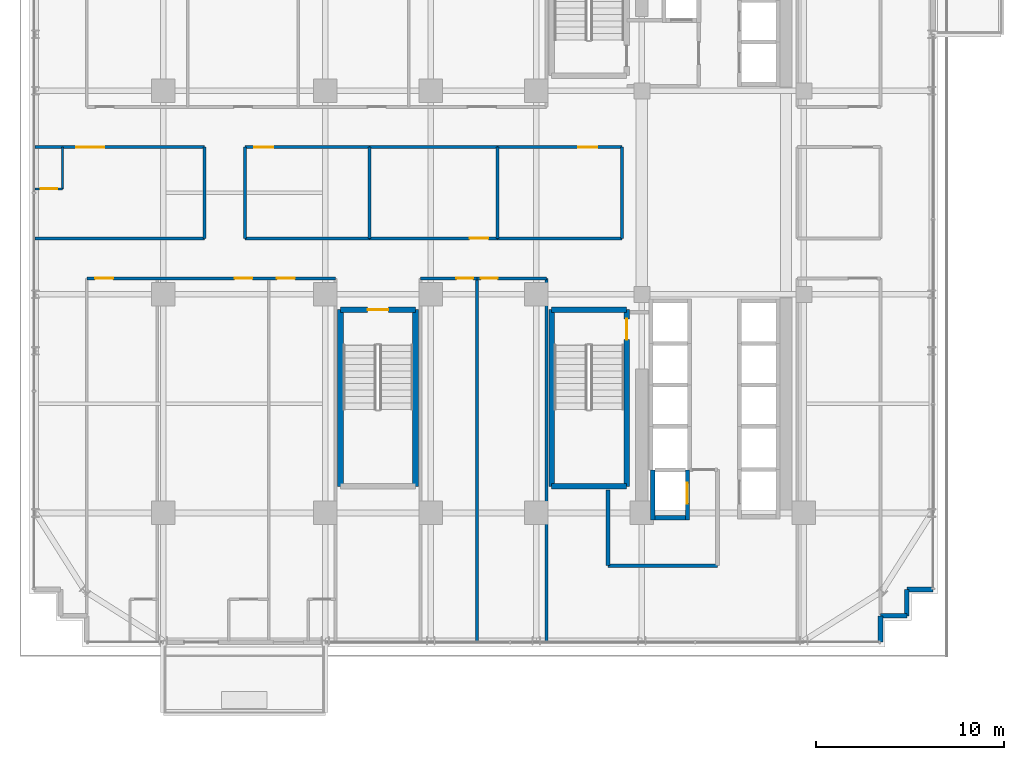
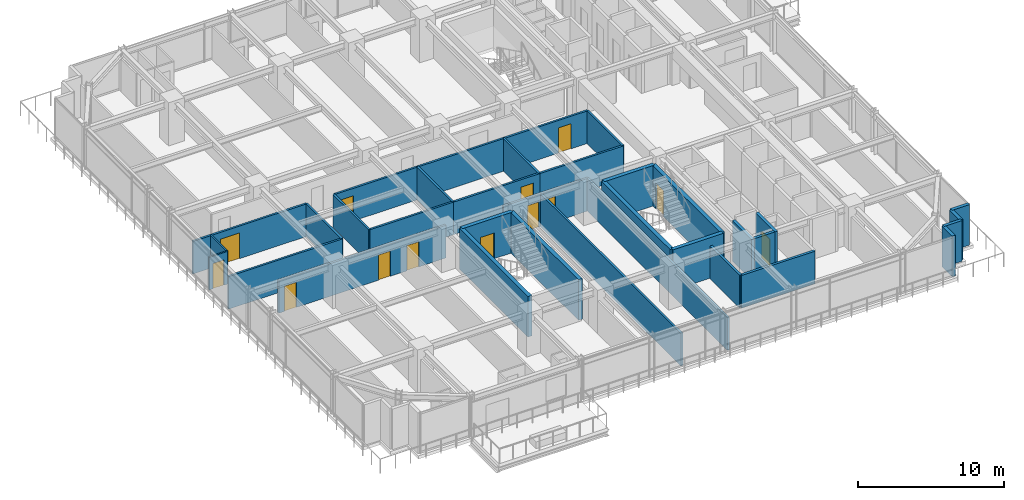
# One storey, part 27 of 34: 36 walls, 13 doors, 13 openings.
"""IFC4 building model written with IfcOpenShell, lengths in metres."""

from ifc_helpers import new_model, si_unit, direction, frame, frame_2d, origin, place, context, subcontext, project, spatial, rectangle, extrude, source, transform, mapped, material, layer, layer_set, type_object, element, fill, save


model = new_model("IFC4")

# Units and contexts
model_context = context("Model", 3, precision=1e-05, world=origin(), true_north=direction((0.0, 1.0)))
body_context = subcontext(model_context, "Body", "Model", "MODEL_VIEW")
ifc_project = project(units=[si_unit("LENGTHUNIT", "METRE"), si_unit("AREAUNIT", "SQUARE_METRE"), si_unit("VOLUMEUNIT", "CUBIC_METRE"), si_unit("PLANEANGLEUNIT", "RADIAN"), si_unit("MASSUNIT", "GRAM", prefix="KILO")], contexts=[model_context])

# Site, building, storey
site_placement = place(None, origin())
site = spatial("IfcSite", under=ifc_project, at=site_placement, CompositionType="ELEMENT")
building_placement = place(site_placement, origin())
building = spatial("IfcBuilding", under=site, at=building_placement, Name="Nahalor Promenade Grand Hotel", CompositionType="ELEMENT")
storey_placement = place(building_placement, frame((0.0, 0.0, 88.300048828125)))
storey = spatial("IfcBuildingStorey", under=building, at=storey_placement, Name="L21", CompositionType="ELEMENT", Elevation=88.300048828125)

# Walls
ifc_material_1 = material(Name="Concrete B-50 (C40/50)", Category="concrete")
ifc_layer_1 = layer(ifc_material_1, 0.300048828125)
ifc_layer_set_1 = layer_set([ifc_layer_1], Name="Concrete B-50 (C40/50)")
wall_type_1 = type_object("IfcWallType", Name="Wall-ShaftShear-300", PredefinedType="SHEAR", material=ifc_layer_set_1)
shared_shape_1 = source(origin(), body_context, "Body", "SweptSolid", [
    extrude(rectangle(XDim=3.97998046875, YDim=0.300048828125, at=frame_2d((1.989990234375, 0.0))), origin(), (0.0, 0.0, 1.0), 3.3798828125),
])
for number, where, z_axis, x_axis, name in (
    (1, (3.610107421875, -15.590087890625, 0.0), (0.0, 0.0, 1.0), (1.0, 0.0, 0.0), "L21 Exit Stair ST2 Shaft Wall S"),
    (2, (3.610107421875, -6.2099609375, 0.0), (0.0, 0.0, 1.0), (1.0, 0.0, 0.0), "L21 Exit Stair ST2 Shaft Wall N"),
):
    element("IfcWall", number, at=place(storey_placement, frame(where, z_axis=z_axis, x_axis=x_axis)), inside=storey, type_object=wall_type_1, Name=name, PredefinedType="SHEAR", context=body_context, shape_type="MappedRepresentation", body=[
        mapped(shared_shape_1, transform((0.0, 0.0, 0.0), scale=1.0)),
    ])

# Wall, opening, door
wall_1_placement = place(storey_placement, frame((-7.590087890625, -6.2099609375, 0.0), z_axis=(0.0, 0.0, 1.0), x_axis=(1.0, 0.0, 0.0)))
wall_1 = element("IfcWall", 3, at=wall_1_placement, inside=storey, type_object=wall_type_1, Name="L21 Exit Stair ST3 Shaft Wall N", PredefinedType="SHEAR", context=body_context, shape_type="MappedRepresentation", body=[
    mapped(shared_shape_1, transform((0.0, 0.0, 0.0), scale=1.0)),
])
opening_1_placement = place(wall_1_placement, frame((1.43994140625, 0.0, 0.0)))
opening_1 = element("IfcOpeningElement", 4, at=opening_1_placement, cuts=wall_1, Name="Opening D-ST1", PredefinedType="OPENING", context=body_context, shape_type="SweptSolid", body=[
    extrude(rectangle(XDim=1.10009765625, YDim=2.14990234375, at=frame_2d((0.550048828125, 1.074951171875))), frame((0.0, 0.159912109375, 0.0), z_axis=(0.0, -1.0, 0.0), x_axis=(1.0, 0.0, 0.0)), (0.0, 0.0, 1.0), 0.320068359375),
])
ifc_material_2 = material(Name="Steel S355JR", Category="steel")
door_type_1 = type_object("IfcDoorType", Name="Door-StairFire-1100", OperationType="NOTDEFINED", PredefinedType="DOOR", material=ifc_material_2)
shared_shape_2 = source(origin(), body_context, "Body", "SweptSolid", [
    extrude(rectangle(XDim=1.10009765625, YDim=2.14990234375, at=frame_2d((0.550048828125, 1.074951171875))), frame((0.0, 0.02490234375, 0.0), z_axis=(0.0, -1.0, 0.0), x_axis=(1.0, 0.0, 0.0)), (0.0, 0.0, 1.0), 0.050048828125),
])
door_1_placement = place(opening_1_placement, frame((1.10009765625, 0.0, 0.0), z_axis=(0.0, 0.0, 1.0), x_axis=(-1.0, 0.0, 0.0)))
door_1 = element("IfcDoor", 5, at=door_1_placement, inside=storey, type_object=door_type_1, Name="DR-STAIR-ST3-L21", OperationType="SINGLE_SWING_RIGHT", OverallHeight=2.14990234375, OverallWidth=1.10009765625, PredefinedType="DOOR", context=body_context, shape_type="MappedRepresentation", body=[
    mapped(shared_shape_2, transform((0.0, 0.0, 0.0), scale=1.0)),
])
fill(opening_1, door_1)

# Wall
shared_shape_3 = source(origin(), body_context, "Body", "SweptSolid", [
    extrude(rectangle(XDim=9.380126953125, YDim=0.300048828125, at=frame_2d((4.68994140625, 0.0))), origin(), (0.0, 0.0, 1.0), 3.3798828125),
])
wall_2_placement = place(storey_placement, frame((3.610107421875, -15.590087890625, 0.0), z_axis=(0.0, 0.0, 1.0), x_axis=(0.0, 1.0, 0.0)))
element("IfcWall", 6, at=wall_2_placement, inside=storey, type_object=wall_type_1, Name="L21 Exit Stair ST2 Shaft Wall W", PredefinedType="SHEAR", context=body_context, shape_type="MappedRepresentation", body=[
    mapped(shared_shape_3, transform((0.0, 0.0, 0.0), scale=1.0)),
])

# Wall, opening, door
wall_3_placement = place(storey_placement, frame((7.590087890625, -15.590087890625, 0.0), z_axis=(0.0, 0.0, 1.0), x_axis=(0.0, 1.0, 0.0)))
wall_3 = element("IfcWall", 7, at=wall_3_placement, inside=storey, type_object=wall_type_1, Name="L21 Exit Stair ST2 Shaft Wall E", PredefinedType="SHEAR", context=body_context, shape_type="MappedRepresentation", body=[
    mapped(shared_shape_3, transform((0.0, 0.0, 0.0), scale=1.0)),
])
opening_2_placement = place(wall_3_placement, frame((7.7900390625, 0.0, 0.0)))
opening_2 = element("IfcOpeningElement", 8, at=opening_2_placement, cuts=wall_3, Name="Opening D-ST1", PredefinedType="OPENING", context=body_context, shape_type="SweptSolid", body=[
    extrude(rectangle(XDim=1.10009765625, YDim=2.14990234375, at=frame_2d((0.550048828125, 1.074951171875))), frame((0.0, 0.159912109375, 0.0), z_axis=(0.0, -1.0, 0.0), x_axis=(1.0, 0.0, 0.0)), (0.0, 0.0, 1.0), 0.320068359375),
])
door_2_placement = place(opening_2_placement, origin())
door_2 = element("IfcDoor", 9, at=door_2_placement, inside=storey, type_object=door_type_1, Name="DR-STAIR-ST2-L21", OperationType="SINGLE_SWING_RIGHT", OverallHeight=2.14990234375, OverallWidth=1.10009765625, PredefinedType="DOOR", context=body_context, shape_type="MappedRepresentation", body=[
    mapped(shared_shape_2, transform((0.0, 0.0, 0.0), scale=1.0)),
])
fill(opening_2, door_2)

# Walls
for number, where, z_axis, x_axis, name in (
    (10, (-7.590087890625, -15.590087890625, 0.0), (0.0, 0.0, 1.0), (0.0, 1.0, 0.0), "L21 Exit Stair ST3 Shaft Wall W"),
    (11, (-3.610107421875, -15.590087890625, 0.0), (0.0, 0.0, 1.0), (0.0, 1.0, 0.0), "L21 Exit Stair ST3 Shaft Wall E"),
):
    element("IfcWall", number, at=place(storey_placement, frame(where, z_axis=z_axis, x_axis=x_axis)), inside=storey, type_object=wall_type_1, Name=name, PredefinedType="SHEAR", context=body_context, shape_type="MappedRepresentation", body=[
        mapped(shared_shape_3, transform((0.0, 0.0, 0.0), scale=1.0)),
    ])
ifc_layer_2 = layer(ifc_material_1, 0.219970703125)
ifc_layer_set_2 = layer_set([ifc_layer_2], Name="Concrete B-50 (C40/50)")
wall_type_2 = type_object("IfcWallType", Name="Wall-LiftShaft-220", PredefinedType="SHEAR", material=ifc_layer_set_2)
shared_shape_4 = source(origin(), body_context, "Body", "SweptSolid", [
    extrude(rectangle(XDim=2.635009765625, YDim=0.219970703125, at=frame_2d((1.3173828125, 0.0))), origin(), (0.0, 0.0, 1.0), 3.3798828125),
])
wall_4_placement = place(storey_placement, frame((8.97998046875, -17.360107421875, 0.0), z_axis=(0.0, 0.0, 1.0), x_axis=(0.0, 1.0, 0.0)))
element("IfcWall", 12, at=wall_4_placement, inside=storey, type_object=wall_type_2, Name="L21 Lift FL2 Hoistway Wall W", PredefinedType="SHEAR", context=body_context, shape_type="MappedRepresentation", body=[
    mapped(shared_shape_4, transform((0.0, 0.0, 0.0), scale=1.0)),
])

# Wall, opening, door
wall_5_placement = place(storey_placement, frame((10.820068359375, -17.360107421875, 0.0), z_axis=(0.0, 0.0, 1.0), x_axis=(0.0, 1.0, 0.0)))
wall_5 = element("IfcWall", 13, at=wall_5_placement, inside=storey, type_object=wall_type_2, Name="L21 Lift FL2 Hoistway Wall E", PredefinedType="SHEAR", context=body_context, shape_type="MappedRepresentation", body=[
    mapped(shared_shape_4, transform((0.0, 0.0, 0.0), scale=1.0)),
])
opening_3_placement = place(wall_5_placement, frame((0.860107421875, 0.0, 0.0)))
opening_3 = element("IfcOpeningElement", 14, at=opening_3_placement, cuts=wall_5, Name="Opening LD-02", PredefinedType="OPENING", context=body_context, shape_type="SweptSolid", body=[
    extrude(rectangle(XDim=1.10009765625, YDim=2.199951171875, at=frame_2d((0.550048828125, 1.10009765625))), frame((0.0, 0.119873046875, 0.0), z_axis=(0.0, -1.0, 0.0), x_axis=(1.0, 0.0, 0.0)), (0.0, 0.0, 1.0), 0.239990234375),
])
door_type_2 = type_object("IfcDoorType", Name="Door-LiftFF-1100", OperationType="DOUBLE_DOOR_SLIDING", PredefinedType="DOOR", material=ifc_material_2)
shared_shape_5 = source(origin(), body_context, "Body", "SweptSolid", [
    extrude(rectangle(XDim=1.10009765625, YDim=2.199951171875, at=frame_2d((0.550048828125, 1.10009765625))), frame((0.0, 0.02490234375, 0.0), z_axis=(0.0, -1.0, 0.0), x_axis=(1.0, 0.0, 0.0)), (0.0, 0.0, 1.0), 0.050048828125),
])
door_3_placement = place(opening_3_placement, frame((1.10009765625, 0.0, 0.0), z_axis=(0.0, 0.0, 1.0), x_axis=(-1.0, 0.0, 0.0)))
door_3 = element("IfcDoor", 15, at=door_3_placement, inside=storey, type_object=door_type_2, Name="DR-LIFT-FL2-L21", OperationType="DOUBLE_DOOR_SLIDING", OverallHeight=2.199951171875, OverallWidth=1.10009765625, PredefinedType="DOOR", context=body_context, shape_type="MappedRepresentation", body=[
    mapped(shared_shape_5, transform((0.0, 0.0, 0.0), scale=1.0)),
])
fill(opening_3, door_3)

# Walls
shared_shape_6 = source(origin(), body_context, "Body", "SweptSolid", [
    extrude(rectangle(XDim=1.619873046875, YDim=0.219970703125, at=frame_2d((0.81005859375, 0.0))), origin(), (0.0, 0.0, 1.0), 3.3798828125),
])
wall_6_placement = place(storey_placement, frame((9.090087890625, -17.25, 0.0), z_axis=(0.0, 0.0, 1.0), x_axis=(1.0, 0.0, 0.0)))
element("IfcWall", 16, at=wall_6_placement, inside=storey, type_object=wall_type_2, Name="L21 Lift FL2 Hoistway Wall S", PredefinedType="SHEAR", context=body_context, shape_type="MappedRepresentation", body=[
    mapped(shared_shape_6, transform((0.0, 0.0, 0.0), scale=1.0)),
])
ifc_material_3 = material(Name="Concrete B-40 (C32/40)", Category="concrete")
ifc_layer_3 = layer(ifc_material_3, 0.25)
ifc_layer_set_3 = layer_set([ifc_layer_3], Name="Concrete B-40 (C32/40)")
wall_type_3 = type_object("IfcWallType", Name="Wall-BronzePier-250", PredefinedType="STANDARD", material=ifc_layer_set_3)
shared_shape_7 = source(origin(), body_context, "Body", "SweptSolid", [
    extrude(rectangle(XDim=1.400146484375, YDim=0.25, at=frame_2d((0.7001953125, 0.0))), origin(), (0.0, 0.0, 1.0), 3.3798828125),
])
for number, where, z_axis, x_axis, name in (
    (17, (21.06005859375, -23.860107421875, 0.0), (0.0, 0.0, 1.0), (0.0, 1.0, 0.0), "W-L21-SR-01"),
    (18, (22.4599609375, -21.06005859375, 0.0), (0.0, 0.0, 1.0), (1.0, 0.0, 0.0), "W-L21-SR-04"),
):
    element("IfcWall", number, at=place(storey_placement, frame(where, z_axis=z_axis, x_axis=x_axis)), inside=storey, type_object=wall_type_3, Name=name, PredefinedType="STANDARD", context=body_context, shape_type="MappedRepresentation", body=[
        mapped(shared_shape_7, transform((0.0, 0.0, 0.0), scale=1.0)),
    ])
shared_shape_8 = source(origin(), body_context, "Body", "SweptSolid", [
    extrude(rectangle(XDim=1.39990234375, YDim=0.25, at=frame_2d((0.699951171875, 0.0))), origin(), (0.0, 0.0, 1.0), 3.3798828125),
])
for number, where, z_axis, x_axis, name in (
    (19, (21.06005859375, -22.4599609375, 0.0), (0.0, 0.0, 1.0), (1.0, 0.0, 0.0), "W-L21-SR-02"),
    (20, (22.4599609375, -22.4599609375, 0.0), (0.0, 0.0, 1.0), (0.0, 1.0, 0.0), "W-L21-SR-03"),
):
    element("IfcWall", number, at=place(storey_placement, frame(where, z_axis=z_axis, x_axis=x_axis)), inside=storey, type_object=wall_type_3, Name=name, PredefinedType="STANDARD", context=body_context, shape_type="MappedRepresentation", body=[
        mapped(shared_shape_8, transform((0.0, 0.0, 0.0), scale=1.0)),
    ])
ifc_layer_4 = layer(ifc_material_3, 0.199951171875)
ifc_layer_set_4 = layer_set([ifc_layer_4], Name="Concrete B-40 (C32/40)")
wall_type_4 = type_object("IfcWallType", Name="Wall-PartFire-200", PredefinedType="PARTITIONING", material=ifc_layer_set_4)
shared_shape_9 = source(origin(), body_context, "Body", "SweptSolid", [
    extrude(rectangle(XDim=5.81982421875, YDim=0.199951171875, at=frame_2d((2.909912109375, 0.0))), origin(), (0.0, 0.0, 1.0), 2.719970703125),
])
wall_7_placement = place(storey_placement, frame((6.60009765625, -19.800048828125, 0.0), z_axis=(0.0, 0.0, 1.0), x_axis=(1.0, 0.0, 0.0)))
element("IfcWall", 21, at=wall_7_placement, inside=storey, type_object=wall_type_4, Name="W-L21-FF2-S1", PredefinedType="PARTITIONING", context=body_context, shape_type="MappedRepresentation", body=[
    mapped(shared_shape_9, transform((0.0, 0.0, 0.0), scale=1.0)),
])
shared_shape_10 = source(origin(), body_context, "Body", "SweptSolid", [
    extrude(rectangle(XDim=4.030029296875, YDim=0.199951171875, at=frame_2d((2.01513671875, 0.0))), origin(), (0.0, 0.0, 1.0), 2.719970703125),
])
wall_8_placement = place(storey_placement, frame((6.60009765625, -19.800048828125, 0.0), z_axis=(0.0, 0.0, 1.0), x_axis=(0.0, 1.0, 0.0)))
element("IfcWall", 22, at=wall_8_placement, inside=storey, type_object=wall_type_4, Name="W-L21-FF2-W1", PredefinedType="PARTITIONING", context=body_context, shape_type="MappedRepresentation", body=[
    mapped(shared_shape_10, transform((0.0, 0.0, 0.0), scale=1.0)),
])
ifc_material_4 = material(Name="Acoustic Mineral Gypsum", Category="gypsum")
ifc_layer_5 = layer(ifc_material_4, 0.159912109375)
ifc_layer_set_5 = layer_set([ifc_layer_5], Name="Acoustic Mineral Gypsum")
wall_type_5 = type_object("IfcWallType", Name="Wall-PartCorridor-160", PredefinedType="PARTITIONING", material=ifc_layer_set_5)
shared_shape_11 = source(origin(), body_context, "Body", "SweptSolid", [
    extrude(rectangle(XDim=19.25, YDim=0.159912109375, at=frame_2d((9.625, 0.0))), origin(), (0.0, 0.0, 1.0), 2.719970703125),
])
for number, where, z_axis, x_axis, name in (
    (23, (-0.35009765625, -23.800048828125, 0.0), (0.0, 0.0, 1.0), (0.0, 1.0, 0.0), "W-L21-SCB1-E"),
    (24, (3.340087890625, -23.800048828125, 0.0), (0.0, 0.0, 1.0), (0.0, 1.0, 0.0), "W-L21-SCB2-E"),
):
    element("IfcWall", number, at=place(storey_placement, frame(where, z_axis=z_axis, x_axis=x_axis)), inside=storey, type_object=wall_type_5, Name=name, PredefinedType="PARTITIONING", context=body_context, shape_type="MappedRepresentation", body=[
        mapped(shared_shape_11, transform((0.0, 0.0, 0.0), scale=1.0)),
    ])
ifc_layer_6 = layer(ifc_material_4, 0.1201171875)
ifc_layer_set_6 = layer_set([ifc_layer_6], Name="Acoustic Mineral Gypsum")
wall_type_6 = type_object("IfcWallType", Name="Wall-PartBath-120", PredefinedType="PARTITIONING", material=ifc_layer_set_6)
shared_shape_12 = source(origin(), body_context, "Body", "SweptSolid", [
    extrude(rectangle(XDim=2.219970703125, YDim=0.1201171875, at=frame_2d((1.10986328125, 0.0))), origin(), (0.0, 0.0, 1.0), 2.719970703125),
])
wall_9_placement = place(storey_placement, frame((-22.35009765625, 0.199951171875, 0.0), z_axis=(0.0, 0.0, 1.0), x_axis=(0.0, 1.0, 0.0)))
element("IfcWall", 25, at=wall_9_placement, inside=storey, type_object=wall_type_6, Name="W-L21-W1-BV", PredefinedType="PARTITIONING", context=body_context, shape_type="MappedRepresentation", body=[
    mapped(shared_shape_12, transform((0.0, 0.0, 0.0), scale=1.0)),
])

# Wall, opening, door
shared_shape_13 = source(origin(), body_context, "Body", "SweptSolid", [
    extrude(rectangle(XDim=1.449951171875, YDim=0.1201171875, at=frame_2d((0.72509765625, 0.0))), origin(), (0.0, 0.0, 1.0), 2.719970703125),
])
wall_10_placement = place(storey_placement, frame((-23.800048828125, 0.199951171875, 0.0), z_axis=(0.0, 0.0, 1.0), x_axis=(1.0, 0.0, 0.0)))
wall_10 = element("IfcWall", 26, at=wall_10_placement, inside=storey, type_object=wall_type_6, Name="W-L21-W1-BH", PredefinedType="PARTITIONING", context=body_context, shape_type="MappedRepresentation", body=[
    mapped(shared_shape_13, transform((0.0, 0.0, 0.0), scale=1.0)),
])
opening_4_placement = place(wall_10_placement, frame((0.284912109375, 0.0, 0.0)))
opening_4 = element("IfcOpeningElement", 27, at=opening_4_placement, cuts=wall_10, Name="Opening D-03", PredefinedType="OPENING", context=body_context, shape_type="SweptSolid", body=[
    extrude(rectangle(XDim=0.8798828125, YDim=2.10009765625, at=frame_2d((0.43994140625, 1.050048828125))), frame((0.0, 0.070068359375, 0.0), z_axis=(0.0, -1.0, 0.0), x_axis=(1.0, 0.0, 0.0)), (0.0, 0.0, 1.0), 0.14013671875),
])
ifc_material_5 = material(Name="Fire-Rated Timber Composite", Category="wood")
door_type_3 = type_object("IfcDoorType", Name="Door-BathSwing-880", OperationType="NOTDEFINED", PredefinedType="DOOR", material=ifc_material_5)
shared_shape_14 = source(origin(), body_context, "Body", "SweptSolid", [
    extrude(rectangle(XDim=0.8798828125, YDim=2.10009765625, at=frame_2d((0.43994140625, 1.050048828125))), frame((0.0, 0.02490234375, 0.0), z_axis=(0.0, -1.0, 0.0), x_axis=(1.0, 0.0, 0.0)), (0.0, 0.0, 1.0), 0.050048828125),
])
door_4_placement = place(opening_4_placement, origin())
door_4 = element("IfcDoor", 28, at=door_4_placement, inside=storey, type_object=door_type_3, Name="DR-L21-W1-BATH", OperationType="SINGLE_SWING_LEFT", OverallHeight=2.10009765625, OverallWidth=0.8798828125, PredefinedType="DOOR", context=body_context, shape_type="MappedRepresentation", body=[
    mapped(shared_shape_14, transform((0.0, 0.0, 0.0), scale=1.0)),
])
fill(opening_4, door_4)

# Wall, openings, doors
shared_shape_15 = source(origin(), body_context, "Body", "SweptSolid", [
    extrude(rectangle(XDim=13.199951171875, YDim=0.159912109375, at=frame_2d((6.60009765625, 0.0))), origin(), (0.0, 0.0, 1.0), 2.719970703125),
])
wall_11_placement = place(storey_placement, frame((-21.06005859375, -4.550048828125, 0.0), z_axis=(0.0, 0.0, 1.0), x_axis=(1.0, 0.0, 0.0)))
wall_11 = element("IfcWall", 29, at=wall_11_placement, inside=storey, type_object=wall_type_5, Name="W-L21-CORR-S", PredefinedType="PARTITIONING", context=body_context, shape_type="MappedRepresentation", body=[
    mapped(shared_shape_15, transform((0.0, 0.0, 0.0), scale=1.0)),
])
opening_5_placement = place(wall_11_placement, frame((0.447998046875, 0.0, 0.0)))
opening_5 = element("IfcOpeningElement", 30, at=opening_5_placement, cuts=wall_11, Name="Opening D-01", PredefinedType="OPENING", context=body_context, shape_type="SweptSolid", body=[
    extrude(rectangle(XDim=0.949951171875, YDim=2.10009765625, at=frame_2d((0.47509765625, 1.050048828125))), frame((0.0, 0.08984375, 0.0), z_axis=(0.0, -1.0, 0.0), x_axis=(1.0, 0.0, 0.0)), (0.0, 0.0, 1.0), 0.179931640625),
])
opening_6_placement = place(wall_11_placement, frame((7.843994140625, 0.0, 0.0)))
opening_6 = element("IfcOpeningElement", 31, at=opening_6_placement, cuts=wall_11, Name="Opening D-01", PredefinedType="OPENING", context=body_context, shape_type="SweptSolid", body=[
    extrude(rectangle(XDim=0.949951171875, YDim=2.10009765625, at=frame_2d((0.47509765625, 1.050048828125))), frame((0.0, 0.08984375, 0.0), z_axis=(0.0, -1.0, 0.0), x_axis=(1.0, 0.0, 0.0)), (0.0, 0.0, 1.0), 0.179931640625),
])
opening_7_placement = place(wall_11_placement, frame((10.093994140625, 0.0, 0.0)))
opening_7 = element("IfcOpeningElement", 32, at=opening_7_placement, cuts=wall_11, Name="Opening D-01", PredefinedType="OPENING", context=body_context, shape_type="SweptSolid", body=[
    extrude(rectangle(XDim=0.949951171875, YDim=2.10009765625, at=frame_2d((0.47509765625, 1.050048828125))), frame((0.0, 0.08984375, 0.0), z_axis=(0.0, -1.0, 0.0), x_axis=(1.0, 0.0, 0.0)), (0.0, 0.0, 1.0), 0.179931640625),
])
door_type_4 = type_object("IfcDoorType", Name="Door-GuestEntry-950", OperationType="NOTDEFINED", PredefinedType="DOOR", material=ifc_material_5)
shared_shape_16 = source(origin(), body_context, "Body", "SweptSolid", [
    extrude(rectangle(XDim=0.949951171875, YDim=2.10009765625, at=frame_2d((0.47509765625, 1.050048828125))), frame((0.0, 0.02490234375, 0.0), z_axis=(0.0, -1.0, 0.0), x_axis=(1.0, 0.0, 0.0)), (0.0, 0.0, 1.0), 0.050048828125),
])
door_5_placement = place(opening_5_placement, frame((0.949951171875, 0.0, 0.0), z_axis=(0.0, 0.0, 1.0), x_axis=(-1.0, 0.0, 0.0)))
door_5 = element("IfcDoor", 33, at=door_5_placement, inside=storey, type_object=door_type_4, Name="DR-L21-S1-ENT", OperationType="SINGLE_SWING_RIGHT", OverallHeight=2.10009765625, OverallWidth=0.949951171875, PredefinedType="DOOR", context=body_context, shape_type="MappedRepresentation", body=[
    mapped(shared_shape_16, transform((0.0, 0.0, 0.0), scale=1.0)),
])
fill(opening_5, door_5)
door_6_placement = place(opening_6_placement, frame((0.949951171875, 0.0, 0.0), z_axis=(0.0, 0.0, 1.0), x_axis=(-1.0, 0.0, 0.0)))
door_6 = element("IfcDoor", 34, at=door_6_placement, inside=storey, type_object=door_type_4, Name="DR-L21-S2-ENT", OperationType="SINGLE_SWING_RIGHT", OverallHeight=2.10009765625, OverallWidth=0.949951171875, PredefinedType="DOOR", context=body_context, shape_type="MappedRepresentation", body=[
    mapped(shared_shape_16, transform((0.0, 0.0, 0.0), scale=1.0)),
])
fill(opening_6, door_6)
door_7_placement = place(opening_7_placement, frame((0.949951171875, 0.0, 0.0), z_axis=(0.0, 0.0, 1.0), x_axis=(-1.0, 0.0, 0.0)))
door_7 = element("IfcDoor", 35, at=door_7_placement, inside=storey, type_object=door_type_4, Name="DR-L21-S3-ENT", OperationType="SINGLE_SWING_RIGHT", OverallHeight=2.10009765625, OverallWidth=0.949951171875, PredefinedType="DOOR", context=body_context, shape_type="MappedRepresentation", body=[
    mapped(shared_shape_16, transform((0.0, 0.0, 0.0), scale=1.0)),
])
fill(opening_7, door_7)

# Wall, opening, door
shared_shape_17 = source(origin(), body_context, "Body", "SweptSolid", [
    extrude(rectangle(XDim=2.989990234375, YDim=0.159912109375, at=frame_2d((1.4951171875, 0.0))), origin(), (0.0, 0.0, 1.0), 2.719970703125),
])
wall_12_placement = place(storey_placement, frame((-3.340087890625, -4.550048828125, 0.0), z_axis=(0.0, 0.0, 1.0), x_axis=(1.0, 0.0, 0.0)))
wall_12 = element("IfcWall", 36, at=wall_12_placement, inside=storey, type_object=wall_type_5, Name="W-L21-SCB1-N", PredefinedType="PARTITIONING", context=body_context, shape_type="MappedRepresentation", body=[
    mapped(shared_shape_17, transform((0.0, 0.0, 0.0), scale=1.0)),
])
opening_8_placement = place(wall_12_placement, frame((1.89990234375, 0.0, 0.0)))
opening_8 = element("IfcOpeningElement", 37, at=opening_8_placement, cuts=wall_12, Name="Opening D-03", PredefinedType="OPENING", context=body_context, shape_type="SweptSolid", body=[
    extrude(rectangle(XDim=0.8798828125, YDim=2.10009765625, at=frame_2d((0.43994140625, 1.050048828125))), frame((0.0, 0.08984375, 0.0), z_axis=(0.0, -1.0, 0.0), x_axis=(1.0, 0.0, 0.0)), (0.0, 0.0, 1.0), 0.179931640625),
])
door_8_placement = place(opening_8_placement, frame((0.8798828125, 0.0, 0.0), z_axis=(0.0, 0.0, 1.0), x_axis=(-1.0, 0.0, 0.0)))
door_8 = element("IfcDoor", 38, at=door_8_placement, inside=storey, type_object=door_type_3, Name="DR-L21-SCB1", OperationType="SINGLE_SWING_LEFT", OverallHeight=2.10009765625, OverallWidth=0.8798828125, PredefinedType="DOOR", context=body_context, shape_type="MappedRepresentation", body=[
    mapped(shared_shape_14, transform((0.0, 0.0, 0.0), scale=1.0)),
])
fill(opening_8, door_8)

shared_shape_18 = source(origin(), body_context, "Body", "SweptSolid", [
    extrude(rectangle(XDim=3.690185546875, YDim=0.159912109375, at=frame_2d((1.84521484375, 0.0))), origin(), (0.0, 0.0, 1.0), 2.719970703125),
])
wall_13_placement = place(storey_placement, frame((-0.35009765625, -4.550048828125, 0.0), z_axis=(0.0, 0.0, 1.0), x_axis=(1.0, 0.0, 0.0)))
wall_13 = element("IfcWall", 39, at=wall_13_placement, inside=storey, type_object=wall_type_5, Name="W-L21-SCB2-N", PredefinedType="PARTITIONING", context=body_context, shape_type="MappedRepresentation", body=[
    mapped(shared_shape_18, transform((0.0, 0.0, 0.0), scale=1.0)),
])
opening_9_placement = place(wall_13_placement, frame((0.2099609375, 0.0, 0.0)))
opening_9 = element("IfcOpeningElement", 40, at=opening_9_placement, cuts=wall_13, Name="Opening D-03", PredefinedType="OPENING", context=body_context, shape_type="SweptSolid", body=[
    extrude(rectangle(XDim=0.8798828125, YDim=2.10009765625, at=frame_2d((0.43994140625, 1.050048828125))), frame((0.0, 0.08984375, 0.0), z_axis=(0.0, -1.0, 0.0), x_axis=(1.0, 0.0, 0.0)), (0.0, 0.0, 1.0), 0.179931640625),
])
door_9_placement = place(opening_9_placement, frame((0.8798828125, 0.0, 0.0), z_axis=(0.0, 0.0, 1.0), x_axis=(-1.0, 0.0, 0.0)))
door_9 = element("IfcDoor", 41, at=door_9_placement, inside=storey, type_object=door_type_3, Name="DR-L21-SCB2", OperationType="SINGLE_SWING_RIGHT", OverallHeight=2.10009765625, OverallWidth=0.8798828125, PredefinedType="DOOR", context=body_context, shape_type="MappedRepresentation", body=[
    mapped(shared_shape_14, transform((0.0, 0.0, 0.0), scale=1.0)),
])
fill(opening_9, door_9)

shared_shape_19 = source(origin(), body_context, "Body", "SweptSolid", [
    extrude(rectangle(XDim=9.0, YDim=0.159912109375, at=frame_2d((4.5, 0.0))), origin(), (0.0, 0.0, 1.0), 2.719970703125),
])
wall_14_placement = place(storey_placement, frame((-23.800048828125, 2.419921875, 0.0), z_axis=(0.0, 0.0, 1.0), x_axis=(1.0, 0.0, 0.0)))
wall_14 = element("IfcWall", 42, at=wall_14_placement, inside=storey, type_object=wall_type_5, Name="W-L21-WEST-N", PredefinedType="PARTITIONING", context=body_context, shape_type="MappedRepresentation", body=[
    mapped(shared_shape_19, transform((0.0, 0.0, 0.0), scale=1.0)),
])
opening_10_placement = place(wall_14_placement, frame((2.176025390625, 0.0, 0.0)))
opening_10 = element("IfcOpeningElement", 43, at=opening_10_placement, cuts=wall_14, Name="Opening D-02", PredefinedType="OPENING", context=body_context, shape_type="SweptSolid", body=[
    extrude(rectangle(XDim=1.5, YDim=2.14990234375, at=frame_2d((0.75, 1.074951171875))), frame((0.0, 0.08984375, 0.0), z_axis=(0.0, -1.0, 0.0), x_axis=(1.0, 0.0, 0.0)), (0.0, 0.0, 1.0), 0.179931640625),
])
door_type_5 = type_object("IfcDoorType", Name="Door-SuiteDouble-1500", OperationType="DOUBLE_DOOR_SINGLE_SWING", PredefinedType="DOOR", material=ifc_material_5)
shared_shape_20 = source(origin(), body_context, "Body", "SweptSolid", [
    extrude(rectangle(XDim=1.5, YDim=2.14990234375, at=frame_2d((0.75, 1.074951171875))), frame((0.0, 0.02490234375, 0.0), z_axis=(0.0, -1.0, 0.0), x_axis=(1.0, 0.0, 0.0)), (0.0, 0.0, 1.0), 0.050048828125),
])
door_10_placement = place(opening_10_placement, origin())
door_10 = element("IfcDoor", 44, at=door_10_placement, inside=storey, type_object=door_type_5, Name="DR-L21-W1-ENT", OperationType="DOUBLE_DOOR_SINGLE_SWING", OverallHeight=2.14990234375, OverallWidth=1.5, PredefinedType="DOOR", context=body_context, shape_type="MappedRepresentation", body=[
    mapped(shared_shape_20, transform((0.0, 0.0, 0.0), scale=1.0)),
])
fill(opening_10, door_10)

# Walls
wall_15_placement = place(storey_placement, frame((-23.800048828125, -2.419921875, 0.0), z_axis=(0.0, 0.0, 1.0), x_axis=(1.0, 0.0, 0.0)))
element("IfcWall", 45, at=wall_15_placement, inside=storey, type_object=wall_type_5, Name="W-L21-WEST-S", PredefinedType="PARTITIONING", context=body_context, shape_type="MappedRepresentation", body=[
    mapped(shared_shape_19, transform((0.0, 0.0, 0.0), scale=1.0)),
])
shared_shape_21 = source(origin(), body_context, "Body", "SweptSolid", [
    extrude(rectangle(XDim=4.83984375, YDim=0.159912109375, at=frame_2d((2.419921875, 0.0))), origin(), (0.0, 0.0, 1.0), 2.719970703125),
])
for number, where, z_axis, x_axis, name in (
    (46, (-14.800048828125, -2.419921875, 0.0), (0.0, 0.0, 1.0), (0.0, 1.0, 0.0), "W-L21-WEST-E"),
    (47, (-12.64990234375, -2.419921875, 0.0), (0.0, 0.0, 1.0), (0.0, 1.0, 0.0), "W-L21-CM1-W"),
    (48, (-6.050048828125, -2.419921875, 0.0), (0.0, 0.0, 1.0), (0.0, 1.0, 0.0), "W-L21-CM1-E"),
    (49, (0.75, -2.419921875, 0.0), (0.0, 0.0, 1.0), (0.0, 1.0, 0.0), "W-L21-CM2-E"),
    (50, (7.35009765625, -2.419921875, 0.0), (0.0, 0.0, 1.0), (0.0, 1.0, 0.0), "W-L21-CM3-E"),
):
    element("IfcWall", number, at=place(storey_placement, frame(where, z_axis=z_axis, x_axis=x_axis)), inside=storey, type_object=wall_type_5, Name=name, PredefinedType="PARTITIONING", context=body_context, shape_type="MappedRepresentation", body=[
        mapped(shared_shape_21, transform((0.0, 0.0, 0.0), scale=1.0)),
    ])
shared_shape_22 = source(origin(), body_context, "Body", "SweptSolid", [
    extrude(rectangle(XDim=6.599853515625, YDim=0.159912109375, at=frame_2d((3.2998046875, 0.0))), origin(), (0.0, 0.0, 1.0), 2.719970703125),
])
wall_16_placement = place(storey_placement, frame((-12.64990234375, -2.419921875, 0.0), z_axis=(0.0, 0.0, 1.0), x_axis=(1.0, 0.0, 0.0)))
element("IfcWall", 51, at=wall_16_placement, inside=storey, type_object=wall_type_5, Name="W-L21-CM1-S", PredefinedType="PARTITIONING", context=body_context, shape_type="MappedRepresentation", body=[
    mapped(shared_shape_22, transform((0.0, 0.0, 0.0), scale=1.0)),
])

# Wall, opening, door
wall_17_placement = place(storey_placement, frame((-12.64990234375, 2.419921875, 0.0), z_axis=(0.0, 0.0, 1.0), x_axis=(1.0, 0.0, 0.0)))
wall_17 = element("IfcWall", 52, at=wall_17_placement, inside=storey, type_object=wall_type_5, Name="W-L21-CM1-N", PredefinedType="PARTITIONING", context=body_context, shape_type="MappedRepresentation", body=[
    mapped(shared_shape_22, transform((0.0, 0.0, 0.0), scale=1.0)),
])
opening_11_placement = place(wall_17_placement, frame((0.485107421875, 0.0, 0.0)))
opening_11 = element("IfcOpeningElement", 53, at=opening_11_placement, cuts=wall_17, Name="Opening D-04", PredefinedType="OPENING", context=body_context, shape_type="SweptSolid", body=[
    extrude(rectangle(XDim=1.0, YDim=2.10009765625, at=frame_2d((0.5, 1.050048828125))), frame((0.0, 0.08984375, 0.0), z_axis=(0.0, -1.0, 0.0), x_axis=(1.0, 0.0, 0.0)), (0.0, 0.0, 1.0), 0.179931640625),
])
door_type_6 = type_object("IfcDoorType", Name="Door-ServiceFire-1000", OperationType="NOTDEFINED", PredefinedType="DOOR", material=ifc_material_2)
shared_shape_23 = source(origin(), body_context, "Body", "SweptSolid", [
    extrude(rectangle(XDim=1.0, YDim=2.10009765625, at=frame_2d((0.5, 1.050048828125))), frame((0.0, 0.02490234375, 0.0), z_axis=(0.0, -1.0, 0.0), x_axis=(1.0, 0.0, 0.0)), (0.0, 0.0, 1.0), 0.050048828125),
])
door_11_placement = place(opening_11_placement, frame((1.0, 0.0, 0.0), z_axis=(0.0, 0.0, 1.0), x_axis=(-1.0, 0.0, 0.0)))
door_11 = element("IfcDoor", 54, at=door_11_placement, inside=storey, type_object=door_type_6, Name="DR-L21-CM1", OperationType="SINGLE_SWING_RIGHT", OverallHeight=2.10009765625, OverallWidth=1.0, PredefinedType="DOOR", context=body_context, shape_type="MappedRepresentation", body=[
    mapped(shared_shape_23, transform((0.0, 0.0, 0.0), scale=1.0)),
])
fill(opening_11, door_11)

shared_shape_24 = source(origin(), body_context, "Body", "SweptSolid", [
    extrude(rectangle(XDim=6.800048828125, YDim=0.159912109375, at=frame_2d((3.39990234375, 0.0))), origin(), (0.0, 0.0, 1.0), 2.719970703125),
])
wall_18_placement = place(storey_placement, frame((-6.050048828125, -2.419921875, 0.0), z_axis=(0.0, 0.0, 1.0), x_axis=(1.0, 0.0, 0.0)))
wall_18 = element("IfcWall", 55, at=wall_18_placement, inside=storey, type_object=wall_type_5, Name="W-L21-CM2-S", PredefinedType="PARTITIONING", context=body_context, shape_type="MappedRepresentation", body=[
    mapped(shared_shape_24, transform((0.0, 0.0, 0.0), scale=1.0)),
])
opening_12_placement = place(wall_18_placement, frame((5.31005859375, 0.0, 0.0)))
opening_12 = element("IfcOpeningElement", 56, at=opening_12_placement, cuts=wall_18, Name="Opening D-04", PredefinedType="OPENING", context=body_context, shape_type="SweptSolid", body=[
    extrude(rectangle(XDim=1.0, YDim=2.10009765625, at=frame_2d((0.5, 1.050048828125))), frame((0.0, 0.08984375, 0.0), z_axis=(0.0, -1.0, 0.0), x_axis=(1.0, 0.0, 0.0)), (0.0, 0.0, 1.0), 0.179931640625),
])
door_12_placement = place(opening_12_placement, origin())
door_12 = element("IfcDoor", 57, at=door_12_placement, inside=storey, type_object=door_type_6, Name="DR-L21-CM2", OperationType="SINGLE_SWING_LEFT", OverallHeight=2.10009765625, OverallWidth=1.0, PredefinedType="DOOR", context=body_context, shape_type="MappedRepresentation", body=[
    mapped(shared_shape_23, transform((0.0, 0.0, 0.0), scale=1.0)),
])
fill(opening_12, door_12)

# Walls
wall_19_placement = place(storey_placement, frame((-6.050048828125, 2.419921875, 0.0), z_axis=(0.0, 0.0, 1.0), x_axis=(1.0, 0.0, 0.0)))
element("IfcWall", 58, at=wall_19_placement, inside=storey, type_object=wall_type_5, Name="W-L21-CM2-N", PredefinedType="PARTITIONING", context=body_context, shape_type="MappedRepresentation", body=[
    mapped(shared_shape_24, transform((0.0, 0.0, 0.0), scale=1.0)),
])
shared_shape_25 = source(origin(), body_context, "Body", "SweptSolid", [
    extrude(rectangle(XDim=6.60009765625, YDim=0.159912109375, at=frame_2d((3.300048828125, 0.0))), origin(), (0.0, 0.0, 1.0), 2.719970703125),
])
wall_20_placement = place(storey_placement, frame((0.75, -2.419921875, 0.0), z_axis=(0.0, 0.0, 1.0), x_axis=(1.0, 0.0, 0.0)))
element("IfcWall", 59, at=wall_20_placement, inside=storey, type_object=wall_type_5, Name="W-L21-CM3-S", PredefinedType="PARTITIONING", context=body_context, shape_type="MappedRepresentation", body=[
    mapped(shared_shape_25, transform((0.0, 0.0, 0.0), scale=1.0)),
])

# Wall, opening, door
wall_21_placement = place(storey_placement, frame((0.75, 2.419921875, 0.0), z_axis=(0.0, 0.0, 1.0), x_axis=(1.0, 0.0, 0.0)))
wall_21 = element("IfcWall", 60, at=wall_21_placement, inside=storey, type_object=wall_type_5, Name="W-L21-CM3-N", PredefinedType="PARTITIONING", context=body_context, shape_type="MappedRepresentation", body=[
    mapped(shared_shape_25, transform((0.0, 0.0, 0.0), scale=1.0)),
])
opening_13_placement = place(wall_21_placement, frame((4.27294921875, 0.0, 0.0)))
opening_13 = element("IfcOpeningElement", 61, at=opening_13_placement, cuts=wall_21, Name="Opening D-04", PredefinedType="OPENING", context=body_context, shape_type="SweptSolid", body=[
    extrude(rectangle(XDim=1.0, YDim=2.10009765625, at=frame_2d((0.5, 1.050048828125))), frame((0.0, 0.08984375, 0.0), z_axis=(0.0, -1.0, 0.0), x_axis=(1.0, 0.0, 0.0)), (0.0, 0.0, 1.0), 0.179931640625),
])
door_13_placement = place(opening_13_placement, frame((1.0, 0.0, 0.0), z_axis=(0.0, 0.0, 1.0), x_axis=(-1.0, 0.0, 0.0)))
door_13 = element("IfcDoor", 62, at=door_13_placement, inside=storey, type_object=door_type_6, Name="DR-L21-CM3", OperationType="SINGLE_SWING_RIGHT", OverallHeight=2.10009765625, OverallWidth=1.0, PredefinedType="DOOR", context=body_context, shape_type="MappedRepresentation", body=[
    mapped(shared_shape_23, transform((0.0, 0.0, 0.0), scale=1.0)),
])
fill(opening_13, door_13)

save(model, "model.ifc")
